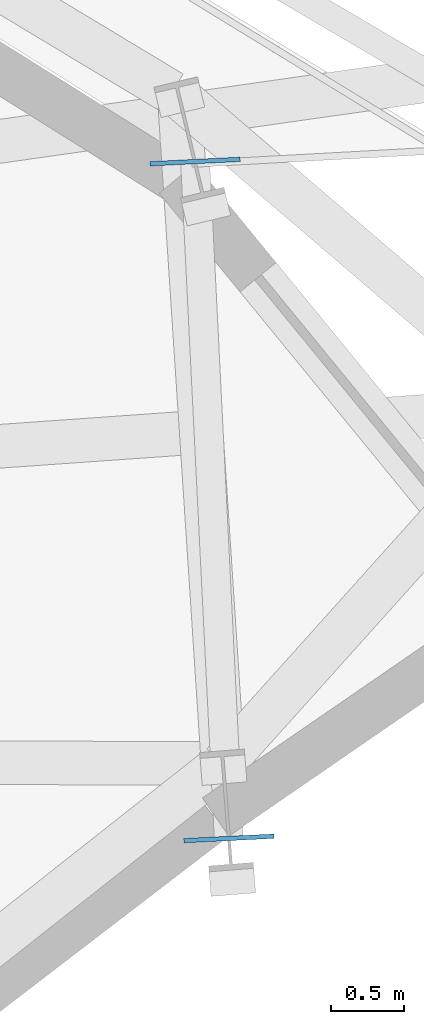
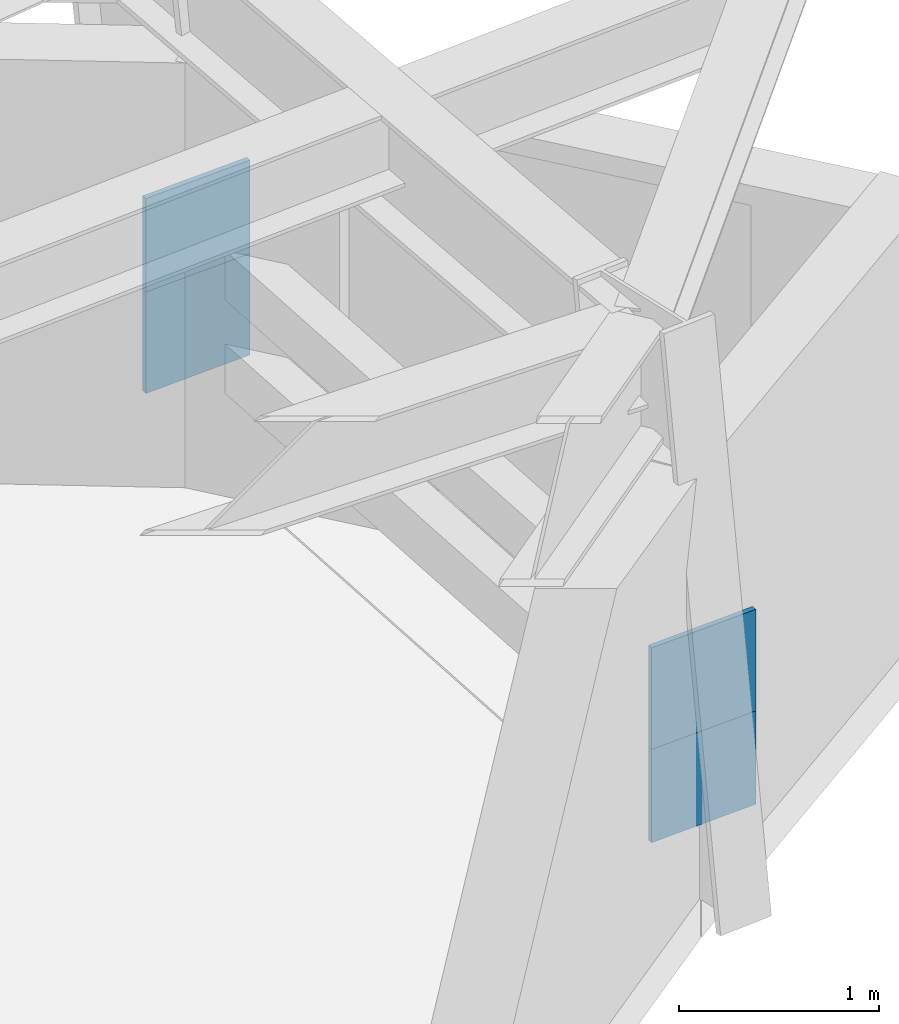
# One storey, part 13 of 21: 4 plates.
"""IFC4 building model written with IfcOpenShell, lengths in metres."""

from ifc_helpers import new_model, si_unit, direction, frame, origin, origin_2d, place, context, subcontext, project, spatial, rectangle, extrude, source, transform, mapped, material, type_object, element, save


model = new_model("IFC4")

# Units and contexts
model_context = context("Model", 3, precision=1e-05, world=origin(), true_north=direction((0.0, 1.0)))
body_context = subcontext(model_context, "Body", "Model", "MODEL_VIEW")
ifc_project = project(units=[si_unit("LENGTHUNIT", "METRE"), si_unit("AREAUNIT", "SQUARE_METRE"), si_unit("VOLUMEUNIT", "CUBIC_METRE"), si_unit("PLANEANGLEUNIT", "RADIAN"), si_unit("MASSUNIT", "GRAM", prefix="KILO")], contexts=[model_context])

# Site, building, storey
site_placement = place(None, origin())
site = spatial("IfcSite", under=ifc_project, at=site_placement, CompositionType="ELEMENT")
building_placement = place(site_placement, origin())
building = spatial("IfcBuilding", under=site, at=building_placement, Name="Olszyna Solenne Hotel", CompositionType="ELEMENT")
storey_placement = place(building_placement, frame((0.0, 0.0, 47.050048828125)))
storey = spatial("IfcBuildingStorey", under=building, at=storey_placement, Name="L11", CompositionType="ELEMENT", Elevation=47.050048828125)

# Plates
ifc_material = material(Name="Steel S460M", Category="steel")
plate_type = type_object("IfcPlateType", Name="GP-CAP2", PredefinedType="USERDEFINED", material=ifc_material)
shared_shape = source(origin(), body_context, "Body", "SweptSolid", [
    extrude(rectangle(XDim=0.030029296875, YDim=0.6201171875, at=origin_2d()), origin(), (0.0, 0.0, 1.0), 0.6201171875),
])
for number, where, z_axis, x_axis, name in (
    (1, (68.836669921875, 25.972412109375, 1.039794921875), (0.0, 0.0, 1.0), (-0.049721373869, 0.998763127564, 0.0), "Hollow section end-cap plate GP-CAP2 CP-PR-M-L11-PR1-1"),
    (2, (68.60498046875, 30.6279296875, 1.039794921875), (0.0, 0.0, 1.0), (-0.049721373869, 0.998763127564, 0.0), "Hollow section end-cap plate GP-CAP2 CP-PR-M-L11-PR1-2"),
    (3, (68.836669921875, 25.972412109375, 0.469970703125), (0.0, 0.0, 1.0), (-0.049721373869, 0.998763127564, 0.0), "Hollow section end-cap plate GP-CAP2 CP-PR-M-L11-PR2-1"),
    (4, (68.60498046875, 30.6279296875, 0.469970703125), (0.0, 0.0, 1.0), (-0.049721373869, 0.998763127564, 0.0), "Hollow section end-cap plate GP-CAP2 CP-PR-M-L11-PR2-2"),
):
    element("IfcPlate", number, at=place(storey_placement, frame(where, z_axis=z_axis, x_axis=x_axis)), inside=storey, type_object=plate_type, Name=name, ObjectType="GUSSET_PLATE", PredefinedType="USERDEFINED", context=body_context, shape_type="MappedRepresentation", body=[
        mapped(shared_shape, transform((0.0, 0.0, 0.0), x_axis=(1.0, 0.0, 0.0), y_axis=(0.0, 1.0, 0.0), z_axis=(0.0, 0.0, 1.0), scale=1.0)),
    ])

save(model, "model.ifc")
